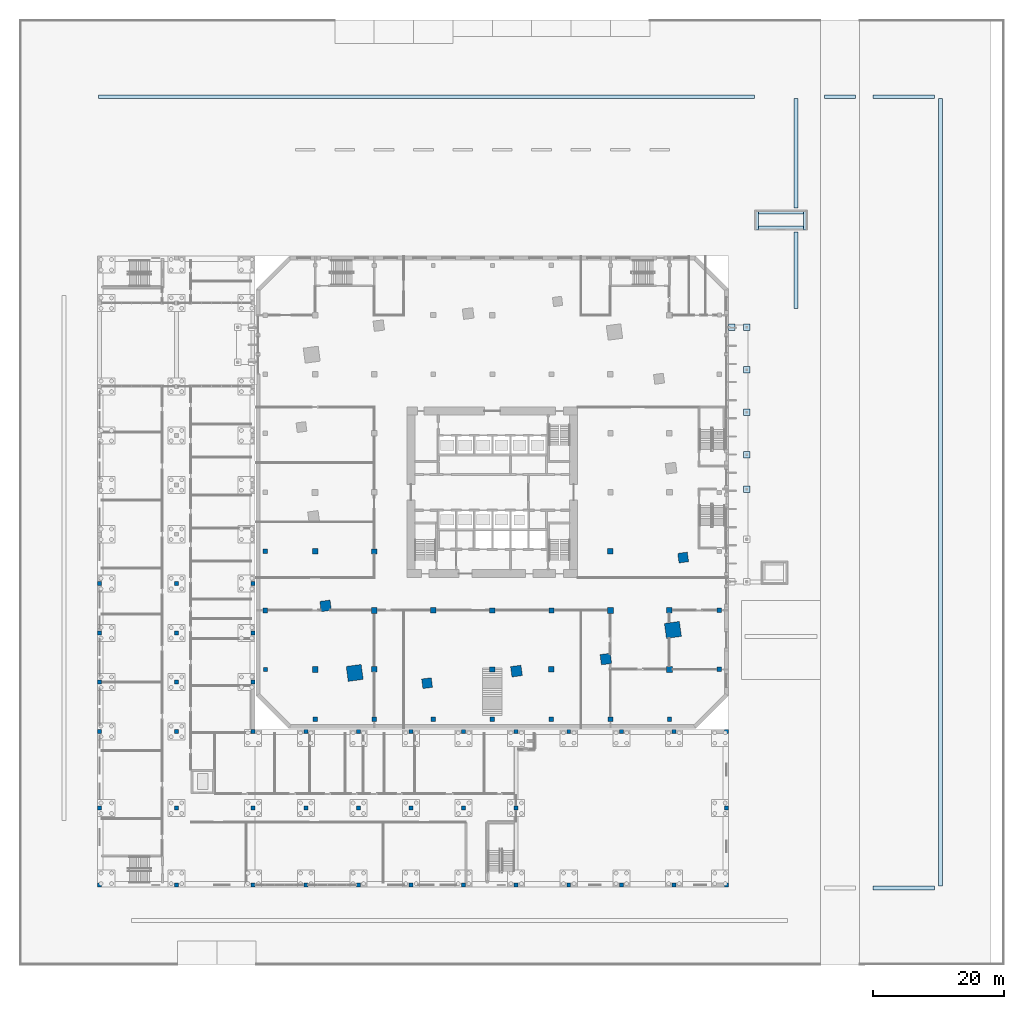
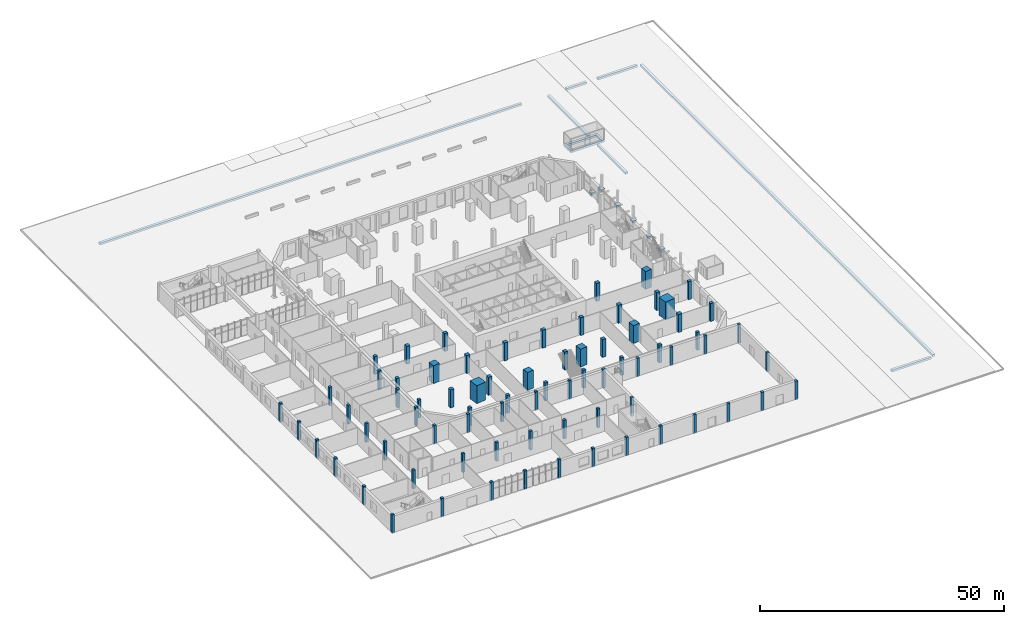
# One storey, part 4 of 42: 75 columns, 17 footings.
"""IFC4 building model written with IfcOpenShell, lengths in metres."""

from ifc_helpers import new_model, si_unit, direction, frame, origin, origin_2d, place, context, subcontext, project, spatial, polyline, rectangle, outline, extrude, material, material_profile, profile_set, type_object, element, save


model = new_model("IFC4")

# Units and contexts
model_context = context("Model", 3, precision=1e-05, world=origin(), true_north=direction((0.0, 1.0)))
body_context = subcontext(model_context, "Body", "Model", "MODEL_VIEW")
ifc_project = project(units=[si_unit("LENGTHUNIT", "METRE"), si_unit("AREAUNIT", "SQUARE_METRE"), si_unit("VOLUMEUNIT", "CUBIC_METRE"), si_unit("PLANEANGLEUNIT", "RADIAN"), si_unit("MASSUNIT", "GRAM", prefix="KILO")], contexts=[model_context])

# Site, building, storey
site_placement = place(None, origin())
site = spatial("IfcSite", under=ifc_project, at=site_placement, CompositionType="ELEMENT")
building_placement = place(site_placement, origin())
building = spatial("IfcBuilding", under=site, at=building_placement, Name="Dilmun Exchange Tower", CompositionType="ELEMENT")
storey_placement = place(building_placement, origin())
storey = spatial("IfcBuildingStorey", under=building, at=storey_placement, Name="L00", CompositionType="ELEMENT", Elevation=0.0)

# Footings
ifc_material_1 = material(Name="Concrete C32/40", Category="concrete")
footing_type_1 = type_object("IfcFootingType", Name="Canopy pad footing 1000 x 1000 x 500", PredefinedType="PAD_FOOTING", material=ifc_material_1)
footing_1_placement = place(storey_placement, frame((0.0, 0.0, -0.5)))
element("IfcFooting", 1, at=footing_1_placement, inside=storey, type_object=footing_type_1, Name="Canopy pad footing 3.3", PredefinedType="PAD_FOOTING", context=body_context, shape_type="SweptSolid", body=[
    extrude(outline(polyline([(38.300048828125, -0.0166015625), (39.300048828125, -0.0166015625), (39.300048828125, 0.9833984375), (38.300048828125, 0.9833984375), (38.300048828125, -0.0166015625)])), origin(), (0.0, 0.0, 1.0), 0.5),
])
footing_2_placement = place(storey_placement, frame((0.0, 0.0, -0.5)))
element("IfcFooting", 2, at=footing_2_placement, inside=storey, type_object=footing_type_1, Name="Canopy pad footing 3.4", PredefinedType="PAD_FOOTING", context=body_context, shape_type="SweptSolid", body=[
    extrude(outline(polyline([(38.300048828125, 5.25), (39.300048828125, 5.25), (39.300048828125, 6.25), (38.300048828125, 6.25), (38.300048828125, 5.25)])), origin(), (0.0, 0.0, 1.0), 0.5),
])
footing_3_placement = place(storey_placement, frame((0.0, 0.0, -0.5)))
element("IfcFooting", 3, at=footing_3_placement, inside=storey, type_object=footing_type_1, Name="Canopy pad footing 3.5", PredefinedType="PAD_FOOTING", context=body_context, shape_type="SweptSolid", body=[
    extrude(outline(polyline([(38.300048828125, 11.716796875), (39.300048828125, 11.716796875), (39.300048828125, 12.716796875), (38.300048828125, 12.716796875), (38.300048828125, 11.716796875)])), origin(), (0.0, 0.0, 1.0), 0.5),
])
footing_4_placement = place(storey_placement, frame((0.0, 0.0, -0.5)))
element("IfcFooting", 4, at=footing_4_placement, inside=storey, type_object=footing_type_1, Name="Canopy pad footing 3.6", PredefinedType="PAD_FOOTING", context=body_context, shape_type="SweptSolid", body=[
    extrude(outline(polyline([(38.300048828125, 18.183349609375), (39.300048828125, 18.183349609375), (39.300048828125, 19.183349609375), (38.300048828125, 19.183349609375), (38.300048828125, 18.183349609375)])), origin(), (0.0, 0.0, 1.0), 0.5),
])
footing_5_placement = place(storey_placement, frame((0.0, 0.0, -0.5)))
element("IfcFooting", 5, at=footing_5_placement, inside=storey, type_object=footing_type_1, Name="Canopy pad footing 3.7", PredefinedType="PAD_FOOTING", context=body_context, shape_type="SweptSolid", body=[
    extrude(outline(polyline([(38.300048828125, 24.64990234375), (39.300048828125, 24.64990234375), (39.300048828125, 25.64990234375), (38.300048828125, 25.64990234375), (38.300048828125, 24.64990234375)])), origin(), (0.0, 0.0, 1.0), 0.5),
])
footing_6_placement = place(storey_placement, frame((0.0, 0.0, -0.5)))
element("IfcFooting", 6, at=footing_6_placement, inside=storey, type_object=footing_type_1, Name="Canopy pad footing 3.9", PredefinedType="PAD_FOOTING", context=body_context, shape_type="SweptSolid", body=[
    extrude(outline(polyline([(36.02001953125, 24.64990234375), (37.02001953125, 24.64990234375), (37.02001953125, 25.64990234375), (36.02001953125, 25.64990234375), (36.02001953125, 24.64990234375)])), origin(), (0.0, 0.0, 1.0), 0.5),
])
footing_type_2 = type_object("IfcFootingType", Name="Site edge footing 600 x 500", PredefinedType="STRIP_FOOTING", material=ifc_material_1)
footing_7_placement = place(storey_placement, frame((0.0, 0.0, -0.830078125)))
element("IfcFooting", 7, at=footing_7_placement, inside=storey, type_object=footing_type_2, Name="Site edge footing", PredefinedType="STRIP_FOOTING", context=body_context, shape_type="SweptSolid", body=[
    extrude(outline(polyline([(40.0, 60.60009765625), (40.0, 60.0), (-60.0, 60.0), (-60.0, 60.60009765625), (40.0, 60.60009765625)])), origin(), (0.0, 0.0, 1.0), 0.5),
])
footing_8_placement = place(storey_placement, frame((0.0, 0.0, -0.830078125)))
element("IfcFooting", 8, at=footing_8_placement, inside=storey, type_object=footing_type_2, Name="Site edge footing", PredefinedType="STRIP_FOOTING", context=body_context, shape_type="SweptSolid", body=[
    extrude(outline(polyline([(46.0, 39.64990234375), (46.60009765625, 39.64990234375), (46.60009765625, 28.0), (46.0, 28.0), (46.0, 39.64990234375)])), origin(), (0.0, 0.0, 1.0), 0.5),
])
footing_9_placement = place(storey_placement, frame((0.0, 0.0, -0.830078125)))
element("IfcFooting", 9, at=footing_9_placement, inside=storey, type_object=footing_type_2, Name="Site edge footing", PredefinedType="STRIP_FOOTING", context=body_context, shape_type="SweptSolid", body=[
    extrude(outline(polyline([(46.60009765625, 43.35009765625), (46.0, 43.35009765625), (46.0, 60.0), (46.60009765625, 60.0), (46.60009765625, 43.35009765625)])), origin(), (0.0, 0.0, 1.0), 0.5),
])
footing_10_placement = place(storey_placement, frame((0.0, 0.0, -0.830078125)))
element("IfcFooting", 10, at=footing_10_placement, inside=storey, type_object=footing_type_2, Name="Site edge footing", PredefinedType="STRIP_FOOTING", context=body_context, shape_type="SweptSolid", body=[
    extrude(outline(polyline([(68.60009765625, 60.0), (68.60009765625, -60.0), (68.0, -60.0), (68.0, 60.0), (68.60009765625, 60.0)])), origin(), (0.0, 0.0, 1.0), 0.5),
])
footing_11_placement = place(storey_placement, frame((0.0, 0.0, -0.830078125)))
element("IfcFooting", 11, at=footing_11_placement, inside=storey, type_object=footing_type_2, Name="Site edge footing", PredefinedType="STRIP_FOOTING", context=body_context, shape_type="SweptSolid", body=[
    extrude(outline(polyline([(67.39990234375, 60.60009765625), (67.39990234375, 60.0), (58.0, 60.0), (58.0, 60.60009765625), (67.39990234375, 60.60009765625)])), origin(), (0.0, 0.0, 1.0), 0.5),
])
footing_12_placement = place(storey_placement, frame((0.0, 0.0, -0.830078125)))
element("IfcFooting", 12, at=footing_12_placement, inside=storey, type_object=footing_type_2, Name="Site edge footing", PredefinedType="STRIP_FOOTING", context=body_context, shape_type="SweptSolid", body=[
    extrude(outline(polyline([(67.39990234375, -60.0), (67.39990234375, -60.60009765625), (58.0, -60.60009765625), (58.0, -60.0), (67.39990234375, -60.0)])), origin(), (0.0, 0.0, 1.0), 0.5),
])
footing_13_placement = place(storey_placement, frame((0.0, 0.0, -0.830078125)))
element("IfcFooting", 13, at=footing_13_placement, inside=storey, type_object=footing_type_2, Name="Site edge footing", PredefinedType="STRIP_FOOTING", context=body_context, shape_type="SweptSolid", body=[
    extrude(outline(polyline([(55.39990234375, 60.60009765625), (55.39990234375, 60.0), (50.60009765625, 60.0), (50.60009765625, 60.60009765625), (55.39990234375, 60.60009765625)])), origin(), (0.0, 0.0, 1.0), 0.5),
])
footing_type_3 = type_object("IfcFootingType", Name="Store strip footing 600 x 500", PredefinedType="STRIP_FOOTING", material=ifc_material_1)
footing_14_placement = place(storey_placement, frame((0.0, 0.0, -0.64990234375)))
element("IfcFooting", 14, at=footing_14_placement, inside=storey, type_object=footing_type_3, Name="Cycle store strip footing", PredefinedType="STRIP_FOOTING", context=body_context, shape_type="SweptSolid", body=[
    extrude(outline(polyline([(40.0, 40.0), (40.0, 43.0), (40.60009765625, 43.0), (40.60009765625, 40.0), (40.0, 40.0)])), origin(), (0.0, 0.0, 1.0), 0.5),
])
footing_15_placement = place(storey_placement, frame((0.0, 0.0, -0.64990234375)))
element("IfcFooting", 15, at=footing_15_placement, inside=storey, type_object=footing_type_3, Name="Cycle store strip footing", PredefinedType="STRIP_FOOTING", context=body_context, shape_type="SweptSolid", body=[
    extrude(outline(polyline([(47.39990234375, 40.0), (47.39990234375, 43.0), (48.0, 43.0), (48.0, 40.0), (47.39990234375, 40.0)])), origin(), (0.0, 0.0, 1.0), 0.5),
])
footing_16_placement = place(storey_placement, frame((0.0, 0.0, -0.64990234375)))
element("IfcFooting", 16, at=footing_16_placement, inside=storey, type_object=footing_type_3, Name="Cycle store strip footing", PredefinedType="STRIP_FOOTING", context=body_context, shape_type="SweptSolid", body=[
    extrude(outline(polyline([(40.60009765625, 42.39990234375), (40.60009765625, 43.0), (47.39990234375, 43.0), (47.39990234375, 42.39990234375), (40.60009765625, 42.39990234375)])), origin(), (0.0, 0.0, 1.0), 0.5),
])
footing_17_placement = place(storey_placement, frame((0.0, 0.0, -0.64990234375)))
element("IfcFooting", 17, at=footing_17_placement, inside=storey, type_object=footing_type_3, Name="Cycle store strip footing", PredefinedType="STRIP_FOOTING", context=body_context, shape_type="SweptSolid", body=[
    extrude(outline(polyline([(40.60009765625, 40.0), (40.60009765625, 40.60009765625), (47.39990234375, 40.60009765625), (47.39990234375, 40.0), (40.60009765625, 40.0)])), origin(), (0.0, 0.0, 1.0), 0.5),
])

# Columns
ifc_material_2 = material(Name="Concrete C80/95", Category="concrete")
ifc_material_profile_1 = material_profile(ifc_material_2, rectangle(XDim=2.300048828125, YDim=2.300048828125, at=origin_2d()), Name="2300 x 2300")
ifc_profile_set_1 = profile_set([ifc_material_profile_1], Name="Concrete C80/95")
column_type_1 = type_object("IfcColumnType", Name="RC mega column 2300 x 2300 C80/95", PredefinedType="COLUMN", material=ifc_profile_set_1)
for number, where, z_axis, x_axis, name in (
    (18, (-20.97900390625, -27.531005859375, 0.0), (0.0, 0.0, 1.0), (0.991001197216, 0.133853005627, 0.0), "Mega column M3"),
    (19, (27.531005859375, -20.97900390625, 0.0), (0.0, 0.0, 1.0), (0.991001197216, 0.133853005627, 0.0), "Mega column M4"),
):
    element("IfcColumn", number, at=place(storey_placement, frame(where, z_axis=z_axis, x_axis=x_axis)), inside=storey, type_object=column_type_1, Name=name, PredefinedType="COLUMN", context=body_context, shape_type="SweptSolid", body=[
        extrude(rectangle(XDim=2.300048828125, YDim=2.300048828125, at=origin_2d()), origin(), (0.0, 0.0, 1.0), 4.5),
    ])
ifc_material_3 = material(Name="Concrete C60/75", Category="concrete")
ifc_material_profile_2 = material_profile(ifc_material_3, rectangle(XDim=0.625, YDim=0.625, at=origin_2d()), Name="625 x 625")
ifc_profile_set_2 = profile_set([ifc_material_profile_2], Name="Concrete C60/75")
column_type_2 = type_object("IfcColumnType", Name="RC podium column 625 x 625 C60/75", PredefinedType="COLUMN", material=ifc_profile_set_2)
for number, where, z_axis, x_axis, name in (
    (20, (-34.60009765625, -27.0, 0.0), (0.0, 0.0, 1.0), (1.0, 0.0, 0.0), "Podium column 5F"),
    (21, (27.0, -34.60009765625, 0.0), (0.0, 0.0, 1.0), (1.0, 0.0, 0.0), "Podium column 12E"),
):
    element("IfcColumn", number, at=place(storey_placement, frame(where, z_axis=z_axis, x_axis=x_axis)), inside=storey, type_object=column_type_2, Name=name, PredefinedType="COLUMN", context=body_context, shape_type="SweptSolid", body=[
        extrude(rectangle(XDim=0.625, YDim=0.625, at=origin_2d()), origin(), (0.0, 0.0, 1.0), 4.5),
    ])
ifc_material_profile_3 = material_profile(ifc_material_3, rectangle(XDim=0.675048828125, YDim=0.675048828125, at=origin_2d()), Name="675 x 675")
ifc_profile_set_3 = profile_set([ifc_material_profile_3], Name="Concrete C60/75")
column_type_3 = type_object("IfcColumnType", Name="RC podium column 675 x 675 C60/75", PredefinedType="COLUMN", material=ifc_profile_set_3)
for number, where, z_axis, x_axis, name in (
    (22, (-34.60009765625, -9.0, 0.0), (0.0, 0.0, 1.0), (1.0, 0.0, 0.0), "Podium column 5H"),
    (23, (9.0, -34.60009765625, 0.0), (0.0, 0.0, 1.0), (1.0, 0.0, 0.0), "Podium column 10E"),
):
    element("IfcColumn", number, at=place(storey_placement, frame(where, z_axis=z_axis, x_axis=x_axis)), inside=storey, type_object=column_type_3, Name=name, PredefinedType="COLUMN", context=body_context, shape_type="SweptSolid", body=[
        extrude(rectangle(XDim=0.675048828125, YDim=0.675048828125, at=origin_2d()), origin(), (0.0, 0.0, 1.0), 4.5),
    ])
ifc_material_profile_4 = material_profile(ifc_material_3, rectangle(XDim=0.699951171875, YDim=0.699951171875, at=origin_2d()), Name="700 x 700")
ifc_profile_set_4 = profile_set([ifc_material_profile_4], Name="Concrete C60/75")
column_type_4 = type_object("IfcColumnType", Name="RC podium column 700 x 700 C60/75", PredefinedType="COLUMN", material=ifc_profile_set_4)
for number, where, z_axis, x_axis, name in (
    (24, (-27.0, -34.60009765625, 0.0), (0.0, 0.0, 1.0), (1.0, 0.0, 0.0), "Podium column 6E"),
    (25, (-18.0, -34.60009765625, 0.0), (0.0, 0.0, 1.0), (1.0, 0.0, 0.0), "Podium column 7E"),
    (26, (0.0, -34.60009765625, 0.0), (0.0, 0.0, 1.0), (1.0, 0.0, 0.0), "Podium column 9E"),
    (27, (34.60009765625, -27.0, 0.0), (0.0, 0.0, 1.0), (1.0, 0.0, 0.0), "Podium column 13F"),
    (28, (34.60009765625, -18.0, 0.0), (0.0, 0.0, 1.0), (1.0, 0.0, 0.0), "Podium column 13G"),
):
    element("IfcColumn", number, at=place(storey_placement, frame(where, z_axis=z_axis, x_axis=x_axis)), inside=storey, type_object=column_type_4, Name=name, PredefinedType="COLUMN", context=body_context, shape_type="SweptSolid", body=[
        extrude(rectangle(XDim=0.699951171875, YDim=0.699951171875, at=origin_2d()), origin(), (0.0, 0.0, 1.0), 4.5),
    ])
ifc_material_profile_5 = material_profile(ifc_material_3, rectangle(XDim=0.72509765625, YDim=0.72509765625, at=origin_2d()), Name="725 x 725")
ifc_profile_set_5 = profile_set([ifc_material_profile_5], Name="Concrete C60/75")
column_type_5 = type_object("IfcColumnType", Name="RC podium column 725 x 725 C60/75", PredefinedType="COLUMN", material=ifc_profile_set_5)
for number, where, z_axis, x_axis, name in (
    (29, (-34.60009765625, -18.0, 0.0), (0.0, 0.0, 1.0), (1.0, 0.0, 0.0), "Podium column 5G"),
    (30, (-9.0, -34.60009765625, 0.0), (0.0, 0.0, 1.0), (1.0, 0.0, 0.0), "Podium column 8E"),
    (31, (18.0, -34.60009765625, 0.0), (0.0, 0.0, 1.0), (1.0, 0.0, 0.0), "Podium column 11E"),
):
    element("IfcColumn", number, at=place(storey_placement, frame(where, z_axis=z_axis, x_axis=x_axis)), inside=storey, type_object=column_type_5, Name=name, PredefinedType="COLUMN", context=body_context, shape_type="SweptSolid", body=[
        extrude(rectangle(XDim=0.72509765625, YDim=0.72509765625, at=origin_2d()), origin(), (0.0, 0.0, 1.0), 4.5),
    ])
ifc_material_profile_6 = material_profile(ifc_material_3, rectangle(XDim=0.77490234375, YDim=0.77490234375, at=origin_2d()), Name="775 x 775")
ifc_profile_set_6 = profile_set([ifc_material_profile_6], Name="Concrete C60/75")
column_type_6 = type_object("IfcColumnType", Name="RC podium column 775 x 775 C60/75", PredefinedType="COLUMN", material=ifc_profile_set_6)
for number, where, z_axis, x_axis, name in (
    (32, (-18.0, -9.0, 0.0), (0.0, 0.0, 1.0), (1.0, 0.0, 0.0), "Podium column 7H"),
    (33, (9.0, -18.0, 0.0), (0.0, 0.0, 1.0), (1.0, 0.0, 0.0), "Podium column 10G"),
):
    element("IfcColumn", number, at=place(storey_placement, frame(where, z_axis=z_axis, x_axis=x_axis)), inside=storey, type_object=column_type_6, Name=name, PredefinedType="COLUMN", context=body_context, shape_type="SweptSolid", body=[
        extrude(rectangle(XDim=0.77490234375, YDim=0.77490234375, at=origin_2d()), origin(), (0.0, 0.0, 1.0), 4.5),
    ])
ifc_material_profile_7 = material_profile(ifc_material_3, rectangle(XDim=0.800048828125, YDim=0.800048828125, at=origin_2d()), Name="800 x 800")
ifc_profile_set_7 = profile_set([ifc_material_profile_7], Name="Concrete C60/75")
column_type_7 = type_object("IfcColumnType", Name="RC podium column 800 x 800 C60/75", PredefinedType="COLUMN", material=ifc_profile_set_7)
for number, where, z_axis, x_axis, name in (
    (34, (0.0, -27.0, 0.0), (0.0, 0.0, 1.0), (1.0, 0.0, 0.0), "Podium column 9F"),
    (35, (0.0, -18.0, 0.0), (0.0, 0.0, 1.0), (1.0, 0.0, 0.0), "Podium column 9G"),
):
    element("IfcColumn", number, at=place(storey_placement, frame(where, z_axis=z_axis, x_axis=x_axis)), inside=storey, type_object=column_type_7, Name=name, PredefinedType="COLUMN", context=body_context, shape_type="SweptSolid", body=[
        extrude(rectangle(XDim=0.800048828125, YDim=0.800048828125, at=origin_2d()), origin(), (0.0, 0.0, 1.0), 4.5),
    ])
ifc_material_profile_8 = material_profile(ifc_material_3, rectangle(XDim=0.824951171875, YDim=0.824951171875, at=origin_2d()), Name="825 x 825")
ifc_profile_set_8 = profile_set([ifc_material_profile_8], Name="Concrete C60/75")
column_type_8 = type_object("IfcColumnType", Name="RC podium column 825 x 825 C60/75", PredefinedType="COLUMN", material=ifc_profile_set_8)
for number, where, z_axis, x_axis, name in (
    (36, (-9.0, -18.0, 0.0), (0.0, 0.0, 1.0), (1.0, 0.0, 0.0), "Podium column 8G"),
    (37, (9.0, -27.0, 0.0), (0.0, 0.0, 1.0), (1.0, 0.0, 0.0), "Podium column 10F"),
    (38, (18.0, -9.0, 0.0), (0.0, 0.0, 1.0), (1.0, 0.0, 0.0), "Podium column 11H"),
):
    element("IfcColumn", number, at=place(storey_placement, frame(where, z_axis=z_axis, x_axis=x_axis)), inside=storey, type_object=column_type_8, Name=name, PredefinedType="COLUMN", context=body_context, shape_type="SweptSolid", body=[
        extrude(rectangle(XDim=0.824951171875, YDim=0.824951171875, at=origin_2d()), origin(), (0.0, 0.0, 1.0), 4.5),
    ])
ifc_material_profile_9 = material_profile(ifc_material_3, rectangle(XDim=0.85009765625, YDim=0.85009765625, at=origin_2d()), Name="850 x 850")
ifc_profile_set_9 = profile_set([ifc_material_profile_9], Name="Concrete C60/75")
column_type_9 = type_object("IfcColumnType", Name="RC podium column 850 x 850 C60/75", PredefinedType="COLUMN", material=ifc_profile_set_9)
for number, where, z_axis, x_axis, name in (
    (39, (-27.0, -9.0, 0.0), (0.0, 0.0, 1.0), (1.0, 0.0, 0.0), "Podium column 6H"),
    (40, (-18.0, -27.0, 0.0), (0.0, 0.0, 1.0), (1.0, 0.0, 0.0), "Podium column 7F"),
    (41, (27.0, -18.0, 0.0), (0.0, 0.0, 1.0), (1.0, 0.0, 0.0), "Podium column 12G"),
):
    element("IfcColumn", number, at=place(storey_placement, frame(where, z_axis=z_axis, x_axis=x_axis)), inside=storey, type_object=column_type_9, Name=name, PredefinedType="COLUMN", context=body_context, shape_type="SweptSolid", body=[
        extrude(rectangle(XDim=0.85009765625, YDim=0.85009765625, at=origin_2d()), origin(), (0.0, 0.0, 1.0), 4.5),
    ])
ifc_material_profile_10 = material_profile(ifc_material_3, rectangle(XDim=0.875, YDim=0.875, at=origin_2d()), Name="875 x 875")
ifc_profile_set_10 = profile_set([ifc_material_profile_10], Name="Concrete C60/75")
column_type_10 = type_object("IfcColumnType", Name="RC podium column 875 x 875 C60/75", PredefinedType="COLUMN", material=ifc_profile_set_10)
for number, where, z_axis, x_axis, name in (
    (42, (-27.0, -27.0, 0.0), (0.0, 0.0, 1.0), (1.0, 0.0, 0.0), "Podium column 6F"),
    (43, (-18.0, -18.0, 0.0), (0.0, 0.0, 1.0), (1.0, 0.0, 0.0), "Podium column 7G"),
    (44, (18.0, -18.0, 0.0), (0.0, 0.0, 1.0), (1.0, 0.0, 0.0), "Podium column 11G"),
    (45, (27.0, -27.0, 0.0), (0.0, 0.0, 1.0), (1.0, 0.0, 0.0), "Podium column 12F"),
):
    element("IfcColumn", number, at=place(storey_placement, frame(where, z_axis=z_axis, x_axis=x_axis)), inside=storey, type_object=column_type_10, Name=name, PredefinedType="COLUMN", context=body_context, shape_type="SweptSolid", body=[
        extrude(rectangle(XDim=0.875, YDim=0.875, at=origin_2d()), origin(), (0.0, 0.0, 1.0), 4.5),
    ])
ifc_material_profile_11 = material_profile(ifc_material_2, rectangle(XDim=1.47509765625, YDim=1.47509765625, at=origin_2d()), Name="1475 x 1475")
ifc_profile_set_11 = profile_set([ifc_material_profile_11], Name="Concrete C80/95")
column_type_11 = type_object("IfcColumnType", Name="RC ring column 1475 x 1475 C80/95", PredefinedType="COLUMN", material=ifc_profile_set_11)
for number, where, z_axis, x_axis, name in (
    (46, (-9.945068359375, -29.093017578125, 0.0), (0.0, 0.0, 1.0), (0.991001197216, 0.133853005627, 0.0), "Ring column R07"),
    (47, (29.093017578125, -9.945068359375, 0.0), (0.0, 0.0, 1.0), (0.991001197216, 0.133853005627, 0.0), "Ring column R10"),
):
    element("IfcColumn", number, at=place(storey_placement, frame(where, z_axis=z_axis, x_axis=x_axis)), inside=storey, type_object=column_type_11, Name=name, PredefinedType="COLUMN", context=body_context, shape_type="SweptSolid", body=[
        extrude(rectangle(XDim=1.47509765625, YDim=1.47509765625, at=origin_2d()), origin(), (0.0, 0.0, 1.0), 4.5),
    ])
ifc_material_profile_12 = material_profile(ifc_material_2, rectangle(XDim=1.574951171875, YDim=1.574951171875, at=origin_2d()), Name="1575 x 1575")
ifc_profile_set_12 = profile_set([ifc_material_profile_12], Name="Concrete C80/95")
column_type_12 = type_object("IfcColumnType", Name="RC ring column 1575 x 1575 C80/95", PredefinedType="COLUMN", material=ifc_profile_set_12)
for number, where, z_axis, x_axis, name in (
    (48, (-25.412109375, -17.306884765625, 0.0), (0.0, 0.0, 1.0), (0.991001197216, 0.133853005627, 0.0), "Ring column R06"),
    (49, (17.306884765625, -25.412109375, 0.0), (0.0, 0.0, 1.0), (0.991001197216, 0.133853005627, 0.0), "Ring column R09"),
):
    element("IfcColumn", number, at=place(storey_placement, frame(where, z_axis=z_axis, x_axis=x_axis)), inside=storey, type_object=column_type_12, Name=name, PredefinedType="COLUMN", context=body_context, shape_type="SweptSolid", body=[
        extrude(rectangle(XDim=1.574951171875, YDim=1.574951171875, at=origin_2d()), origin(), (0.0, 0.0, 1.0), 4.5),
    ])
ifc_material_profile_13 = material_profile(ifc_material_2, rectangle(XDim=1.60009765625, YDim=1.60009765625, at=origin_2d()), Name="1600 x 1600")
ifc_profile_set_13 = profile_set([ifc_material_profile_13], Name="Concrete C80/95")
column_type_13 = type_object("IfcColumnType", Name="RC ring column 1600 x 1600 C80/95", PredefinedType="COLUMN", material=ifc_profile_set_13)
column_placement = place(storey_placement, frame((3.680908203125, -27.2529296875, 0.0), z_axis=(0.0, 0.0, 1.0), x_axis=(0.991001197216, 0.133853005627, 0.0)))
element("IfcColumn", 50, at=column_placement, inside=storey, type_object=column_type_13, Name="Ring column R08", PredefinedType="COLUMN", context=body_context, shape_type="SweptSolid", body=[
    extrude(rectangle(XDim=1.60009765625, YDim=1.60009765625, at=origin_2d()), origin(), (0.0, 0.0, 1.0), 4.5),
])
ifc_material_4 = material(Name="Concrete C40/50", Category="concrete")
ifc_material_profile_14 = material_profile(ifc_material_4, rectangle(XDim=0.60009765625, YDim=0.60009765625, at=origin_2d()), Name="600 x 600")
ifc_profile_set_14 = profile_set([ifc_material_profile_14], Name="Concrete C40/50")
column_type_14 = type_object("IfcColumnType", Name="School column 600 x 600 C40/50", PredefinedType="COLUMN", material=ifc_profile_set_14)
for number, where, z_axis, x_axis, name in (
    (51, (-59.85009765625, -59.85009765625, -0.199951171875), (0.0, 0.0, 1.0), (1.0, 0.0, 0.0), "School column X01Y01"),
    (52, (-59.85009765625, -48.14990234375, -0.199951171875), (0.0, 0.0, 1.0), (1.0, 0.0, 0.0), "School column X01Y02"),
    (53, (-59.85009765625, -36.449951171875, -0.199951171875), (0.0, 0.0, 1.0), (1.0, 0.0, 0.0), "School column X01Y03"),
    (54, (-59.85009765625, -28.93603515625, -0.199951171875), (0.0, 0.0, 1.0), (1.0, 0.0, 0.0), "School column X01Y04"),
    (55, (-59.85009765625, -21.4208984375, -0.199951171875), (0.0, 0.0, 1.0), (1.0, 0.0, 0.0), "School column X01Y05"),
    (56, (-59.85009765625, -13.906982421875, -0.199951171875), (0.0, 0.0, 1.0), (1.0, 0.0, 0.0), "School column X01Y06"),
    (57, (-48.14990234375, -59.85009765625, -0.199951171875), (0.0, 0.0, 1.0), (1.0, 0.0, 0.0), "School column X02Y01"),
    (58, (-48.14990234375, -48.14990234375, -0.199951171875), (0.0, 0.0, 1.0), (1.0, 0.0, 0.0), "School column X02Y02"),
    (59, (-48.14990234375, -36.449951171875, -0.199951171875), (0.0, 0.0, 1.0), (1.0, 0.0, 0.0), "School column X02Y03"),
    (60, (-48.14990234375, -28.93603515625, -0.199951171875), (0.0, 0.0, 1.0), (1.0, 0.0, 0.0), "School column X02Y04"),
    (61, (-48.14990234375, -21.4208984375, -0.199951171875), (0.0, 0.0, 1.0), (1.0, 0.0, 0.0), "School column X02Y05"),
    (62, (-48.14990234375, -13.906982421875, -0.199951171875), (0.0, 0.0, 1.0), (1.0, 0.0, 0.0), "School column X02Y06"),
    (63, (-36.449951171875, -59.85009765625, -0.199951171875), (0.0, 0.0, 1.0), (1.0, 0.0, 0.0), "School column X03Y01"),
    (64, (-36.449951171875, -48.14990234375, -0.199951171875), (0.0, 0.0, 1.0), (1.0, 0.0, 0.0), "School column X03Y02"),
    (65, (-36.449951171875, -36.449951171875, -0.199951171875), (0.0, 0.0, 1.0), (1.0, 0.0, 0.0), "School column X03Y03"),
    (66, (-36.449951171875, -28.93603515625, -0.199951171875), (0.0, 0.0, 1.0), (1.0, 0.0, 0.0), "School column X03Y04"),
    (67, (-36.449951171875, -21.4208984375, -0.199951171875), (0.0, 0.0, 1.0), (1.0, 0.0, 0.0), "School column X03Y05"),
    (68, (-36.449951171875, -13.906982421875, -0.199951171875), (0.0, 0.0, 1.0), (1.0, 0.0, 0.0), "School column X03Y06"),
    (69, (-28.43310546875, -59.85009765625, -0.199951171875), (0.0, 0.0, 1.0), (1.0, 0.0, 0.0), "School column X04Y01"),
    (70, (-28.43310546875, -48.14990234375, -0.199951171875), (0.0, 0.0, 1.0), (1.0, 0.0, 0.0), "School column X04Y02"),
    (71, (-28.43310546875, -36.449951171875, -0.199951171875), (0.0, 0.0, 1.0), (1.0, 0.0, 0.0), "School column X04Y03"),
    (72, (-20.4169921875, -59.85009765625, -0.199951171875), (0.0, 0.0, 1.0), (1.0, 0.0, 0.0), "School column X05Y01"),
    (73, (-20.4169921875, -48.14990234375, -0.199951171875), (0.0, 0.0, 1.0), (1.0, 0.0, 0.0), "School column X05Y02"),
    (74, (-20.4169921875, -36.449951171875, -0.199951171875), (0.0, 0.0, 1.0), (1.0, 0.0, 0.0), "School column X05Y03"),
    (75, (-12.39990234375, -59.85009765625, -0.199951171875), (0.0, 0.0, 1.0), (1.0, 0.0, 0.0), "School column X06Y01"),
    (76, (-12.39990234375, -48.14990234375, -0.199951171875), (0.0, 0.0, 1.0), (1.0, 0.0, 0.0), "School column X06Y02"),
    (77, (-12.39990234375, -36.449951171875, -0.199951171875), (0.0, 0.0, 1.0), (1.0, 0.0, 0.0), "School column X06Y03"),
    (78, (-4.383056640625, -59.85009765625, -0.199951171875), (0.0, 0.0, 1.0), (1.0, 0.0, 0.0), "School column X07Y01"),
    (79, (-4.383056640625, -48.14990234375, -0.199951171875), (0.0, 0.0, 1.0), (1.0, 0.0, 0.0), "School column X07Y02"),
    (80, (-4.383056640625, -36.449951171875, -0.199951171875), (0.0, 0.0, 1.0), (1.0, 0.0, 0.0), "School column X07Y03"),
    (81, (3.633056640625, -59.85009765625, -0.199951171875), (0.0, 0.0, 1.0), (1.0, 0.0, 0.0), "School column X08Y01"),
    (82, (3.633056640625, -48.14990234375, -0.199951171875), (0.0, 0.0, 1.0), (1.0, 0.0, 0.0), "School column X08Y02"),
    (83, (3.633056640625, -36.449951171875, -0.199951171875), (0.0, 0.0, 1.0), (1.0, 0.0, 0.0), "School column X08Y03"),
    (84, (11.64990234375, -59.85009765625, -0.199951171875), (0.0, 0.0, 1.0), (1.0, 0.0, 0.0), "School column X09Y01"),
    (85, (11.64990234375, -36.449951171875, -0.199951171875), (0.0, 0.0, 1.0), (1.0, 0.0, 0.0), "School column X09Y03"),
    (86, (19.6669921875, -59.85009765625, -0.199951171875), (0.0, 0.0, 1.0), (1.0, 0.0, 0.0), "School column X10Y01"),
    (87, (19.6669921875, -36.449951171875, -0.199951171875), (0.0, 0.0, 1.0), (1.0, 0.0, 0.0), "School column X10Y03"),
    (88, (27.68310546875, -59.85009765625, -0.199951171875), (0.0, 0.0, 1.0), (1.0, 0.0, 0.0), "School column X11Y01"),
    (89, (27.68310546875, -36.449951171875, -0.199951171875), (0.0, 0.0, 1.0), (1.0, 0.0, 0.0), "School column X11Y03"),
    (90, (35.699951171875, -59.85009765625, -0.199951171875), (0.0, 0.0, 1.0), (1.0, 0.0, 0.0), "School column X12Y01"),
    (91, (35.699951171875, -48.14990234375, -0.199951171875), (0.0, 0.0, 1.0), (1.0, 0.0, 0.0), "School column X12Y02"),
    (92, (35.699951171875, -36.449951171875, -0.199951171875), (0.0, 0.0, 1.0), (1.0, 0.0, 0.0), "School column X12Y03"),
):
    element("IfcColumn", number, at=place(storey_placement, frame(where, z_axis=z_axis, x_axis=x_axis)), inside=storey, type_object=column_type_14, Name=name, PredefinedType="COLUMN", context=body_context, shape_type="SweptSolid", body=[
        extrude(rectangle(XDim=0.60009765625, YDim=0.60009765625, at=origin_2d()), origin(), (0.0, 0.0, 1.0), 4.699951171875),
    ])

save(model, "model.ifc")
